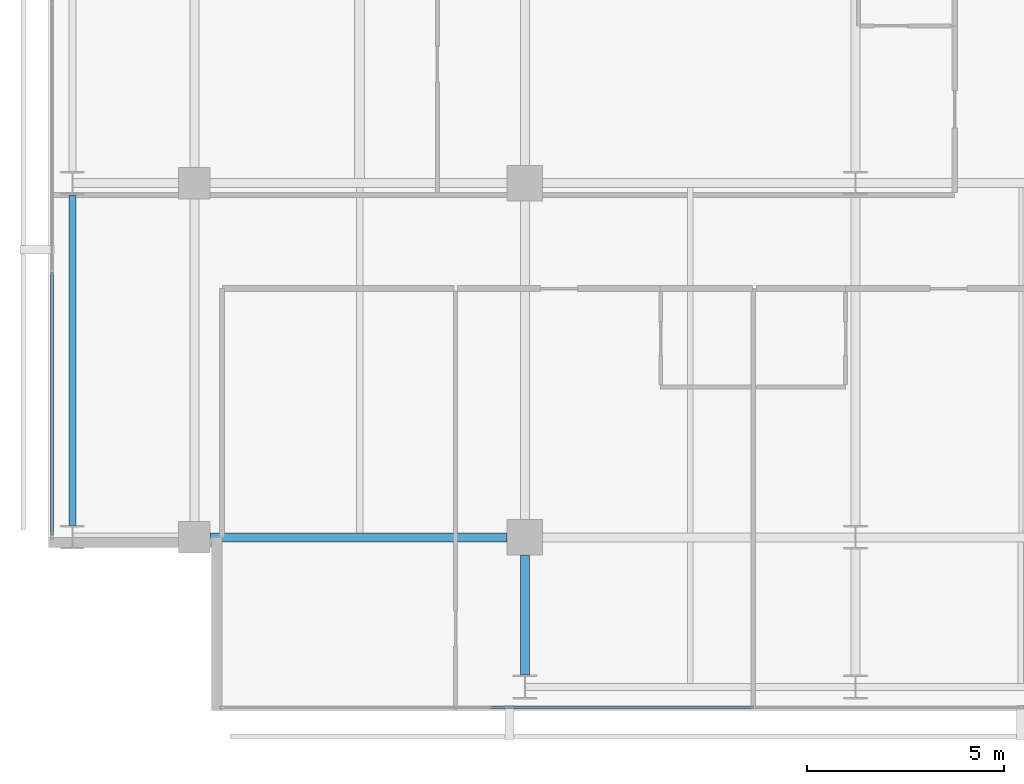
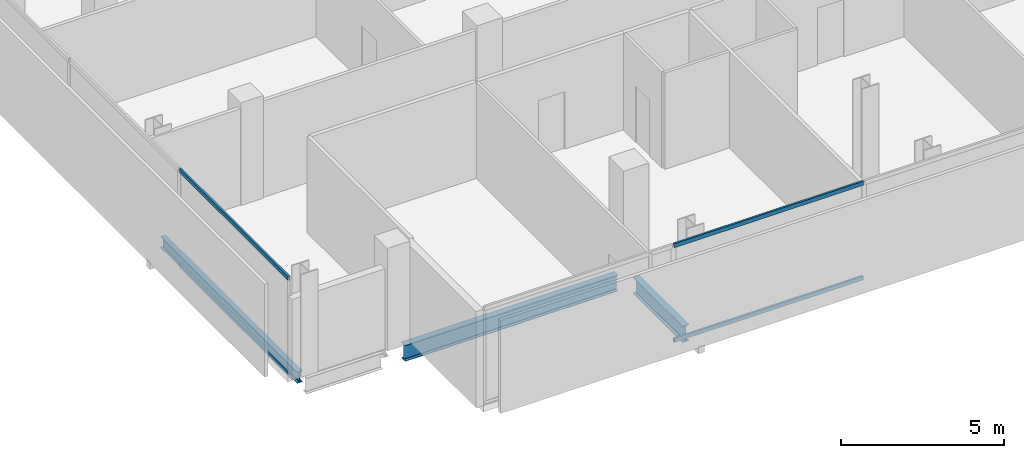
# One storey, part 3 of 33: 4 members, 3 beams, 2 elements without a shape of their own.
"""IFC4 building model written with IfcOpenShell, lengths in metres."""

from ifc_helpers import new_model, si_unit, direction, frame, origin, origin_2d, place, context, subcontext, project, spatial, hollow_rectangle, i_section, extrude, material, layer, layer_set, material_profile, profile_set, type_object, element, aggregate, save


model = new_model("IFC4")

# Units and contexts
model_context = context("Model", 3, precision=1e-05, world=origin(), true_north=direction((0.0, 1.0)))
body_context = subcontext(model_context, "Body", "Model", "MODEL_VIEW")
ifc_project = project(units=[si_unit("LENGTHUNIT", "METRE"), si_unit("AREAUNIT", "SQUARE_METRE"), si_unit("VOLUMEUNIT", "CUBIC_METRE"), si_unit("PLANEANGLEUNIT", "RADIAN"), si_unit("MASSUNIT", "GRAM", prefix="KILO")], contexts=[model_context])

# Site, building, storey
site_placement = place(None, origin())
site = spatial("IfcSite", under=ifc_project, at=site_placement, CompositionType="ELEMENT")
building_placement = place(site_placement, origin())
building = spatial("IfcBuilding", under=site, at=building_placement, Name="Maruvema Waterfront Hotel and Observation Tower", CompositionType="ELEMENT")
storey_placement = place(building_placement, frame((0.0, 0.0, 169.75)))
storey = spatial("IfcBuildingStorey", under=building, at=storey_placement, Name="L41", CompositionType="ELEMENT", Elevation=169.75)

# Curtain wall, members
ifc_material_1 = material(Name="Anodised bronze aluminium and solar-control low-E IGU", Category="aluminium")
ifc_layer = layer(ifc_material_1, 0.159912109375, Name="Zone 2 Amber Inner Thermal Curtain Wall System CW-03")
ifc_layer_set = layer_set([ifc_layer], Name="Anodised bronze aluminium and solar-control low-E IGU")
curtain_wall_type = type_object("IfcCurtainWallType", Name="Zone 2 Amber Inner Thermal Curtain Wall System CW-03", PredefinedType="USERDEFINED", material=ifc_layer_set)
curtain_wall_1_placement = place(storey_placement, origin())
curtain_wall_1 = element("IfcCurtainWall", 1, at=curtain_wall_1_placement, inside=storey, type_object=curtain_wall_type, Name="L41 Curtain Wall CW-L41-S", ObjectType="UNITISED CURTAIN WALL", PredefinedType="USERDEFINED")
ifc_material_2 = material(Name="Anodised architectural bronze aluminium", Category="aluminium")
ifc_material_profile_1 = material_profile(ifc_material_2, hollow_rectangle(XDim=0.070068359375, YDim=0.14990234375, WallThickness=0.00390625, at=origin_2d()), Name="ALU-T70x150")
ifc_profile_set_1 = profile_set([ifc_material_profile_1], Name="Anodised architectural bronze aluminium")
member_type = type_object("IfcMemberType", Name="Curtain Wall Horizontal Transom ALU-T70x150", PredefinedType="USERDEFINED", material=ifc_profile_set_1)
member_1_placement = place(storey_placement, frame((24.296630859375, 4.679931640625, 0.030029296875), z_axis=(1.0, 0.0, 0.0), x_axis=(0.0, 1.0, 0.0)))
member_1 = element("IfcMember", 2, at=member_1_placement, type_object=member_type, Name="CW-03 transom 2.1", ObjectType="TRANSOM", PredefinedType="USERDEFINED", context=body_context, shape_type="SweptSolid", body=[
    extrude(hollow_rectangle(XDim=0.070068359375, YDim=0.14990234375, WallThickness=0.00390625, at=origin_2d()), origin(), (0.0, 0.0, 1.0), 6.706787109375),
])
member_2_placement = place(storey_placement, frame((24.296630859375, 4.679931640625, 3.580078125), z_axis=(1.0, 0.0, 0.0), x_axis=(0.0, 1.0, 0.0)))
member_2 = element("IfcMember", 3, at=member_2_placement, type_object=member_type, Name="CW-03 transom 2.2", ObjectType="TRANSOM", PredefinedType="USERDEFINED", context=body_context, shape_type="SweptSolid", body=[
    extrude(hollow_rectangle(XDim=0.070068359375, YDim=0.14990234375, WallThickness=0.00390625, at=origin_2d()), origin(), (0.0, 0.0, 1.0), 6.706787109375),
])
aggregate(curtain_wall_1, [member_1, member_2])

curtain_wall_2_placement = place(storey_placement, origin())
curtain_wall_2 = element("IfcCurtainWall", 4, at=curtain_wall_2_placement, inside=storey, type_object=curtain_wall_type, Name="L41 Curtain Wall CW-L41-W", ObjectType="UNITISED CURTAIN WALL", PredefinedType="USERDEFINED")
member_3_placement = place(storey_placement, frame((13.179931640625, 15.736572265625, 0.030029296875), z_axis=(0.0, -1.0, 0.0), x_axis=(1.0, 0.0, 0.0)))
member_3 = element("IfcMember", 5, at=member_3_placement, type_object=member_type, Name="CW-03 transom 6.1", ObjectType="TRANSOM", PredefinedType="USERDEFINED", context=body_context, shape_type="SweptSolid", body=[
    extrude(hollow_rectangle(XDim=0.070068359375, YDim=0.14990234375, WallThickness=0.00390625, at=origin_2d()), origin(), (0.0, 0.0, 1.0), 6.676513671875),
])
member_4_placement = place(storey_placement, frame((13.179931640625, 15.736572265625, 3.580078125), z_axis=(0.0, -1.0, 0.0), x_axis=(1.0, 0.0, 0.0)))
member_4 = element("IfcMember", 6, at=member_4_placement, type_object=member_type, Name="CW-03 transom 6.2", ObjectType="TRANSOM", PredefinedType="USERDEFINED", context=body_context, shape_type="SweptSolid", body=[
    extrude(hollow_rectangle(XDim=0.070068359375, YDim=0.14990234375, WallThickness=0.00390625, at=origin_2d()), origin(), (0.0, 0.0, 1.0), 6.676513671875),
])
aggregate(curtain_wall_2, [member_3, member_4])

# Beams
ifc_material_3 = material(Name="Steel ASTM A572 Grade 50", Category="steel")
ifc_material_profile_2 = material_profile(ifc_material_3, i_section(OverallWidth=0.180908203125, OverallDepth=0.4169921875, WebThickness=0.010986328125, FlangeThickness=0.018310546875, FilletRadius=0.014892578125, at=origin_2d()), Name="W410x85.0")
ifc_profile_set_2 = profile_set([ifc_material_profile_2], Name="Steel ASTM A572 Grade 50")
beam_type_1 = type_object("IfcBeamType", Name="Perimeter Spandrel Beam W410x85.0", PredefinedType="SPANDREL", material=ifc_profile_set_2)
beam_1_placement = place(storey_placement, frame((13.699951171875, 9.300048828125, -0.448486328125), z_axis=(0.0, 1.0, 0.0), x_axis=(-1.0, 0.0, 0.0)))
element("IfcBeam", 7, at=beam_1_placement, inside=storey, type_object=beam_type_1, Name="L41 Floor Girder NS-01", PredefinedType="SPANDREL", context=body_context, shape_type="SweptSolid", body=[
    extrude(i_section(OverallWidth=0.180908203125, OverallDepth=0.4169921875, WebThickness=0.010986328125, FlangeThickness=0.018310546875, FilletRadius=0.014892578125, at=origin_2d()), origin(), (0.0, 0.0, 1.0), 8.39990234375),
])
ifc_material_4 = material(Name="Steel ASTM A572 Grade 50", Category="steel")
ifc_material_profile_3 = material_profile(ifc_material_4, i_section(OverallWidth=0.22802734375, OverallDepth=0.60302734375, WebThickness=0.010498046875, FlangeThickness=0.014892578125, FilletRadius=0.01806640625, at=origin_2d()), Name="W610x101.0")
ifc_profile_set_3 = profile_set([ifc_material_profile_3], Name="Steel ASTM A572 Grade 50")
beam_type_2 = type_object("IfcBeamType", Name="Primary Floor Girder W610x101.0", PredefinedType="BEAM", material=ifc_profile_set_3)
beam_2_placement = place(storey_placement, frame((17.199951171875, 9.0, -0.54150390625), z_axis=(1.0, 0.0, 0.0), x_axis=(0.0, 1.0, 0.0)))
element("IfcBeam", 8, at=beam_2_placement, inside=storey, type_object=beam_type_2, Name="L41 Floor Girder EW-05", PredefinedType="BEAM", context=body_context, shape_type="SweptSolid", body=[
    extrude(i_section(OverallWidth=0.22802734375, OverallDepth=0.60302734375, WebThickness=0.010498046875, FlangeThickness=0.014892578125, FilletRadius=0.01806640625, at=origin_2d()), origin(), (0.0, 0.0, 1.0), 7.550048828125),
])
beam_3_placement = place(storey_placement, frame((25.199951171875, 5.5, -0.54150390625), z_axis=(0.0, 1.0, 0.0), x_axis=(-1.0, 0.0, 0.0)))
element("IfcBeam", 9, at=beam_3_placement, inside=storey, type_object=beam_type_2, Name="L41 Floor Girder NS-09", PredefinedType="BEAM", context=body_context, shape_type="SweptSolid", body=[
    extrude(i_section(OverallWidth=0.22802734375, OverallDepth=0.60302734375, WebThickness=0.010498046875, FlangeThickness=0.014892578125, FilletRadius=0.01806640625, at=origin_2d()), origin(), (0.0, 0.0, 1.0), 3.050048828125),
])

save(model, "model.ifc")
